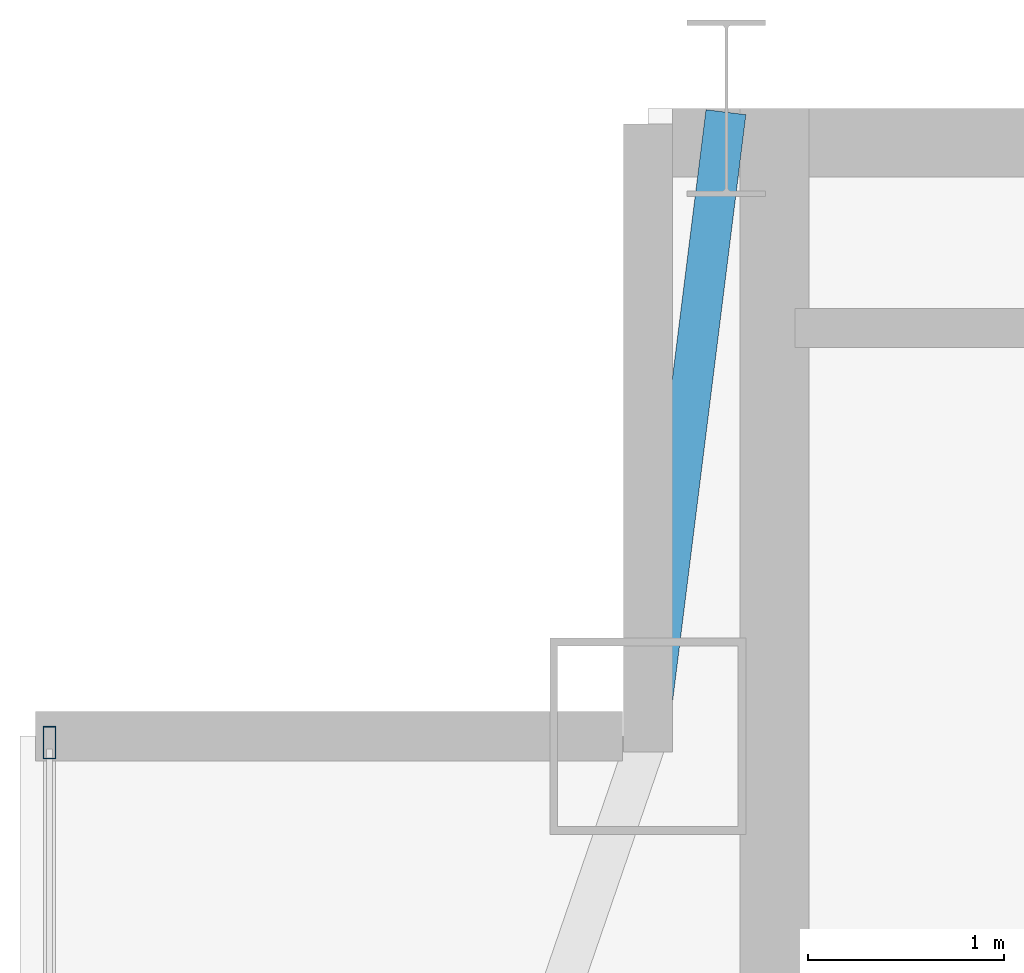
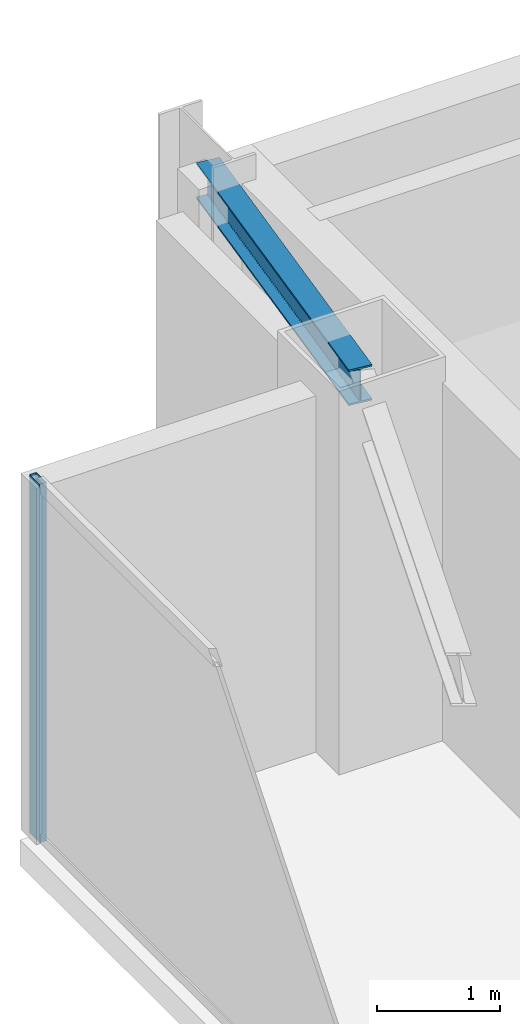
# One storey, part 15 of 25: 1 beam, 1 member, 1 element without a shape of its own.
"""IFC4 building model written with IfcOpenShell, lengths in metres."""

from ifc_helpers import new_model, si_unit, direction, frame, origin, origin_2d, place, context, subcontext, project, spatial, hollow_rectangle, i_section, extrude, source, transform, mapped, material, layer, layer_set, material_profile, profile_set, type_object, type_shapes, element, aggregate, save


model = new_model("IFC4")

# Units and contexts
model_context = context("Model", 3, precision=1e-05, world=origin(), true_north=direction((0.0, 1.0)))
body_context = subcontext(model_context, "Body", "Model", "MODEL_VIEW")
ifc_project = project(units=[si_unit("LENGTHUNIT", "METRE"), si_unit("AREAUNIT", "SQUARE_METRE"), si_unit("VOLUMEUNIT", "CUBIC_METRE"), si_unit("PLANEANGLEUNIT", "RADIAN"), si_unit("MASSUNIT", "GRAM", prefix="KILO")], contexts=[model_context])

# Site, building, storey
site_placement = place(None, origin())
site = spatial("IfcSite", under=ifc_project, at=site_placement, CompositionType="ELEMENT")
building_placement = place(site_placement, origin())
building = spatial("IfcBuilding", under=site, at=building_placement, Name="Varnel Quay Broadcast Tower", CompositionType="ELEMENT")
storey_placement = place(building_placement, frame((0.0, 0.0, 273.60009765625)))
storey = spatial("IfcBuildingStorey", under=building, at=storey_placement, Name="L68", CompositionType="ELEMENT", Elevation=273.60009765625)

# Beam
ifc_material_1 = material(Name="Structural Steel CSA G40.21 350W", Category="steel")
ifc_material_profile_1 = material_profile(ifc_material_1, i_section(OverallWidth=0.205078125, OverallDepth=0.35400390625, WebThickness=0.009521484375, FlangeThickness=0.016845703125, FilletRadius=0.012939453125, at=origin_2d()), Name="W360X79")
ifc_profile_set_1 = profile_set([ifc_material_profile_1], Name="Structural Steel CSA G40.21 350W")
beam_type = type_object("IfcBeamType", Name="Beam_W360X79", PredefinedType="SPANDREL", material=ifc_profile_set_1)
shared_shape_1 = source(origin(), body_context, "Body", "SweptSolid", [
    extrude(i_section(OverallWidth=0.205078125, OverallDepth=0.35400390625, WebThickness=0.009521484375, FlangeThickness=0.016845703125, FilletRadius=0.012939453125, at=origin_2d()), origin(), (0.0, 0.0, 1.0), 3.18505859375),
])
type_shapes(beam_type, [shared_shape_1])
beam_placement = place(storey_placement, frame((15.202392578125, 43.619873046875, 3.372802734375), z_axis=(0.124025300311, 0.992279055953, 0.0), x_axis=(-0.992279055953, 0.124025300311, 0.0)))
element("IfcBeam", 1, at=beam_placement, inside=storey, type_object=beam_type, Name="L68 NW Tie Spandrel", PredefinedType="SPANDREL", context=body_context, shape_type="MappedRepresentation", body=[
    mapped(shared_shape_1, transform((0.0, 0.0, 0.0), x_axis=(1.0, 0.0, 0.0), y_axis=(0.0, 1.0, 0.0), z_axis=(0.0, 0.0, 1.0), scale=1.0)),
])

# Curtain wall, member
ifc_material_2 = material(Name="Anodised Bronze Aluminium 6063-T6", Category="aluminium")
ifc_layer = layer(ifc_material_2, 0.18994140625, Name="Anodised Bronze Aluminium 6063-T6")
ifc_layer_set = layer_set([ifc_layer], Name="Anodised Bronze Aluminium 6063-T6")
curtain_wall_type = type_object("IfcCurtainWallType", Name="CW_UpperTower", PredefinedType="NOTDEFINED", material=ifc_layer_set)
curtain_wall_placement = place(storey_placement, origin())
curtain_wall = element("IfcCurtainWall", 2, at=curtain_wall_placement, inside=storey, type_object=curtain_wall_type, Name="L68 West Unitised Curtain Wall", PredefinedType="NOTDEFINED")
ifc_material_profile_2 = material_profile(ifc_material_2, hollow_rectangle(XDim=0.06494140625, YDim=0.1650390625, WallThickness=0.00341796875, at=origin_2d()), Name="ALU65X165X3.5")
ifc_profile_set_2 = profile_set([ifc_material_profile_2], Name="Anodised Bronze Aluminium 6063-T6")
member_type = type_object("IfcMemberType", Name="Mull_CWS-03", PredefinedType="MULLION", material=ifc_profile_set_2)
shared_shape_2 = source(origin(), body_context, "Body", "SweptSolid", [
    extrude(hollow_rectangle(XDim=0.06494140625, YDim=0.1650390625, WallThickness=0.00341796875, at=origin_2d()), origin(), (0.0, 0.0, 1.0), 3.5498046875),
])
type_shapes(member_type, [shared_shape_2])
member_placement = place(storey_placement, frame((12.14990234375, 43.5673828125, 0.0), z_axis=(0.0, 0.0, 1.0), x_axis=(-1.0, 0.0, 0.0)))
member = element("IfcMember", 3, at=member_placement, type_object=member_type, Name="CWS-03 mullion 3", PredefinedType="MULLION", context=body_context, shape_type="MappedRepresentation", body=[
    mapped(shared_shape_2, transform((0.0, 0.0, 0.0), x_axis=(1.0, 0.0, 0.0), y_axis=(0.0, 1.0, 0.0), z_axis=(0.0, 0.0, 1.0), scale=1.0)),
])
aggregate(curtain_wall, [member])

save(model, "model.ifc")
